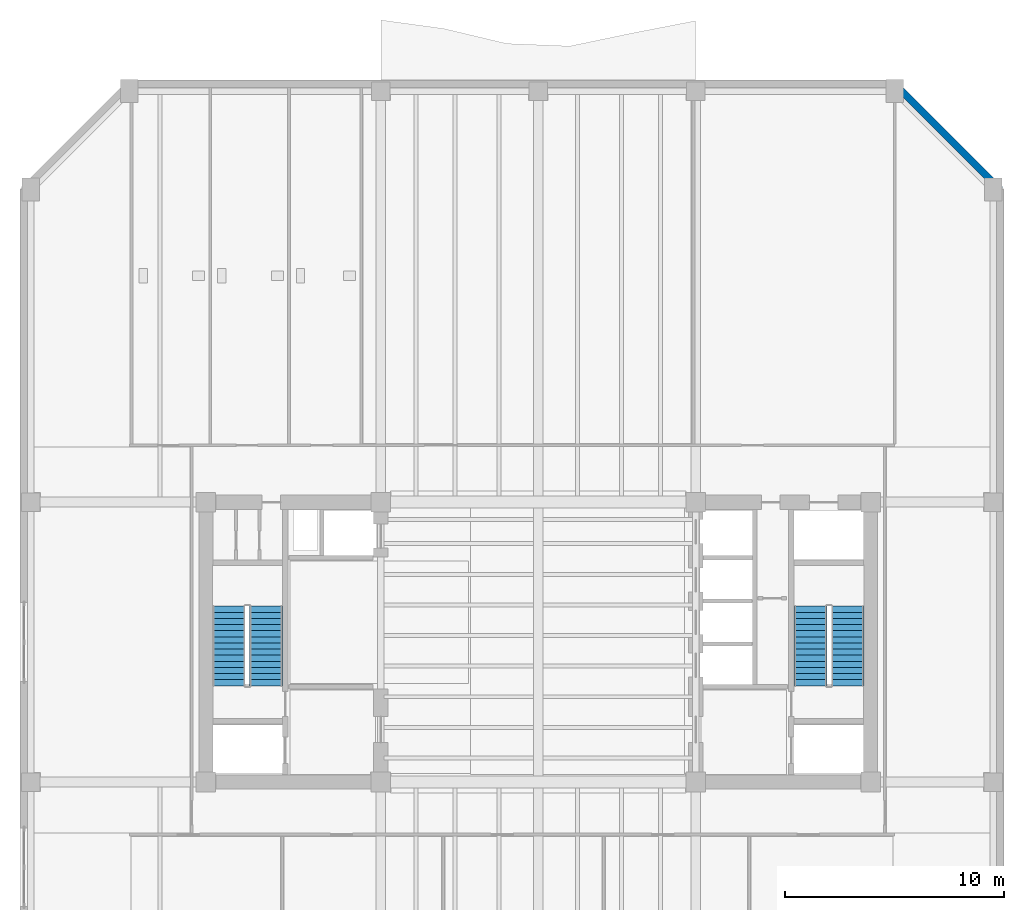
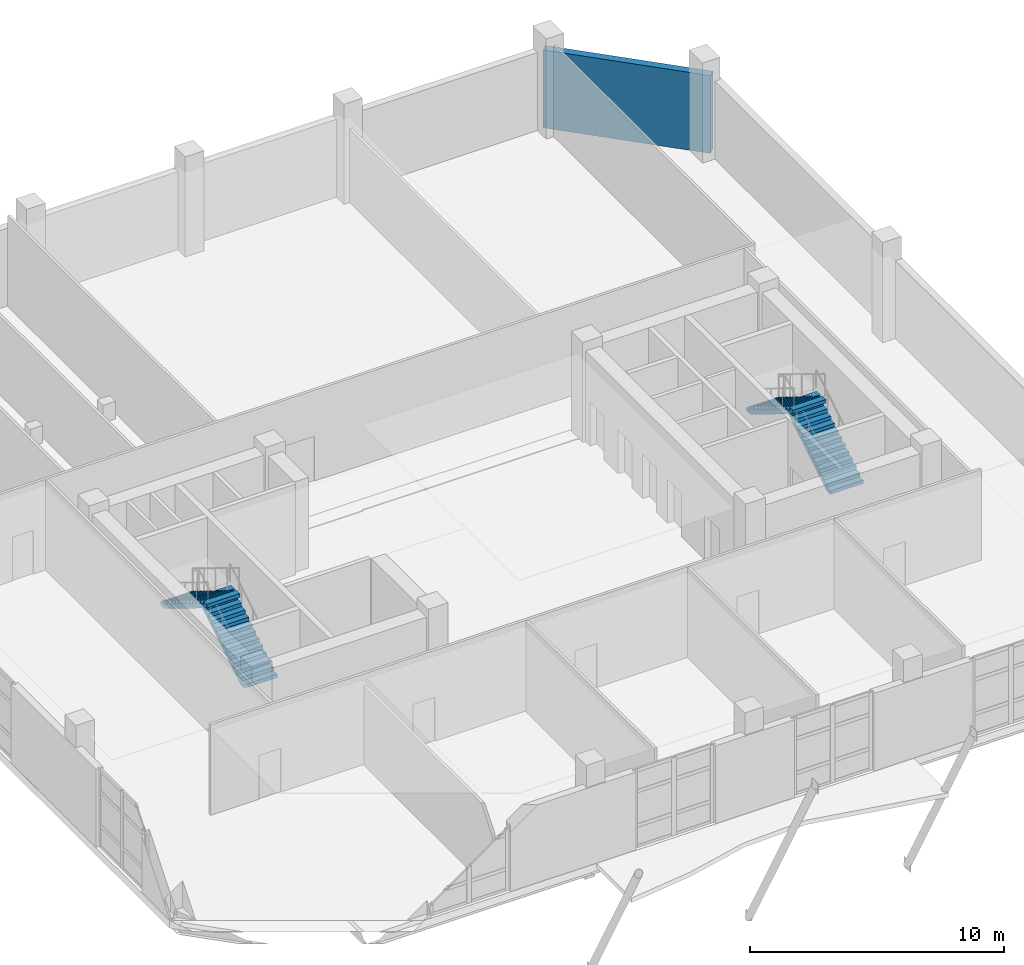
# One storey, part 10 of 15: 4 stair flights, 1 wall, 2 elements without a shape of their own.
"""IFC4 building model written with IfcOpenShell, lengths in metres."""

import ifcopenshell
import ifcopenshell.guid

model = None  # the IFC model being written
_history = None  # IfcOwnerHistory: only IFC2X3 demands one
_inside = {}  # id of a spatial element -> (the spatial element, [elements in it])
_under = {}  # id of a project, library or spatial element -> (it, [spatial elements below it])
_declared = {}  # id of a project -> (the project, [libraries it declares])
_typed = {}  # id of a type object -> (the type object, [elements of that type])
_made_of = {}  # id of a material, layer set ... -> (it, [elements and type objects made of it])


def new_model(schema):
    """Start an empty IFC model of exactly this schema.

    Asked for "IFC4X3", IfcOpenShell would pick the latest addendum, in which some entities
    have other attributes; the version numbers below select the first issue.
    IFC2X3 requires an IfcOwnerHistory on every rooted entity: one is made here for all.
    """
    global model, _history
    if schema == "IFC4X3":
        model = ifcopenshell.file(schema_version=(4, 3, 0, 0))
    else:
        model = ifcopenshell.file(schema=schema)
    _inside.clear()
    _under.clear()
    _declared.clear()
    _typed.clear()
    _made_of.clear()
    _history = None
    if model.schema == "IFC2X3":
        org = make("IfcOrganization", Name="unknown")
        user = make(
            "IfcPersonAndOrganization",
            ThePerson=make("IfcPerson", FamilyName="unknown"),
            TheOrganization=org,
        )
        app = make(
            "IfcApplication",
            ApplicationDeveloper=org,
            Version="unknown",
            ApplicationFullName="unknown",
            ApplicationIdentifier="unknown",
        )
        _history = make(
            "IfcOwnerHistory",
            OwningUser=user,
            OwningApplication=app,
            ChangeAction="ADDED",
            CreationDate=0,
        )
    return model


def make(cls, **values):
    """One entity of the class cls with the attributes given. An attribute that is None is left unset."""
    return model.create_entity(
        cls, **{name: value for name, value in values.items() if value is not None}
    )


def rooted(cls, **values):
    """An entity with a GlobalId (a new one), such as an element, a storey or a relation."""
    return make(cls, GlobalId=ifcopenshell.guid.new(), OwnerHistory=_history, **values)


def si_unit(unit_type, name, prefix=None):
    """IfcSIUnit, for example si_unit("LENGTHUNIT", "METRE", prefix="MILLI")."""
    return make("IfcSIUnit", UnitType=unit_type, Prefix=prefix, Name=name)


def assignment(units):
    """IfcUnitAssignment: the units of a project."""
    return None if units is None else make("IfcUnitAssignment", Units=units)


def point(xyz):
    """IfcCartesianPoint."""
    return None if xyz is None else make("IfcCartesianPoint", Coordinates=xyz)


def direction(xyz):
    """IfcDirection."""
    return None if xyz is None else make("IfcDirection", DirectionRatios=xyz)


def frame(location, z_axis=None, x_axis=None):
    """IfcAxis2Placement3D, a coordinate frame: its origin and axes. An axis left out is left unset."""
    return make(
        "IfcAxis2Placement3D",
        Location=point(location),
        Axis=direction(z_axis),
        RefDirection=direction(x_axis),
    )


def frame_2d(location, x_axis=None):
    """IfcAxis2Placement2D, a coordinate frame in the plane: its origin and x axis."""
    return make(
        "IfcAxis2Placement2D", Location=point(location), RefDirection=direction(x_axis)
    )


def origin():
    """The frame at (0, 0, 0) with its axes left unset."""
    return frame((0.0, 0.0, 0.0))


def place(relative_to, where):
    """IfcLocalPlacement: puts the frame where relative to a parent placement (None: the world)."""
    return make(
        "IfcLocalPlacement", PlacementRelTo=relative_to, RelativePlacement=where
    )


def context(
    kind, dimensions, precision=None, world=None, true_north=None, identifier=None
):
    """IfcGeometricRepresentationContext, for example the 3D "Model" context."""
    return make(
        "IfcGeometricRepresentationContext",
        ContextIdentifier=identifier,
        ContextType=kind,
        CoordinateSpaceDimension=dimensions,
        Precision=precision,
        WorldCoordinateSystem=world,
        TrueNorth=true_north,
    )


def subcontext(parent, identifier, kind, view, scale=None):
    """IfcGeometricRepresentationSubContext, for example "Body" below "Model"."""
    return make(
        "IfcGeometricRepresentationSubContext",
        ContextIdentifier=identifier,
        ContextType=kind,
        ParentContext=parent,
        TargetScale=scale,
        TargetView=view,
    )


def project(units=None, contexts=None):
    """IfcProject with its units and contexts."""
    return rooted(
        "IfcProject",
        Name="project",
        RepresentationContexts=contexts,
        UnitsInContext=assignment(units),
    )


def spatial(cls, under=None, at=None, **own):
    """A site, building, storey or space (cls), placed at a placement, below another one or the project."""
    s = rooted(cls, ObjectPlacement=at, **own)
    if under is not None:
        _under.setdefault(under.id(), (under, []))[1].append(s)
    return s


def polyline(points):
    """IfcPolyline through the points."""
    return make("IfcPolyline", Points=[point(p) for p in points])


def profile(cls, at=None, kind="AREA", **sizes):
    """A parametric profile (cls). Its sizes go by their IFC names, for example OverallWidth=200.0."""
    return make(cls, ProfileType=kind, Position=at, **sizes)


def rectangle(**sizes):
    """IfcRectangleProfileDef."""
    return profile("IfcRectangleProfileDef", **sizes)


def outline(outer, holes=None, kind="AREA"):
    """IfcArbitraryClosedProfileDef: a profile drawn as a closed curve; with holes, ...WithVoids."""
    if holes is None:
        return make("IfcArbitraryClosedProfileDef", ProfileType=kind, OuterCurve=outer)
    return make(
        "IfcArbitraryProfileDefWithVoids",
        ProfileType=kind,
        OuterCurve=outer,
        InnerCurves=holes,
    )


def extrude(swept, where, along, depth):
    """IfcExtrudedAreaSolid: the profile swept, set in the frame where, extruded along a direction by depth."""
    return make(
        "IfcExtrudedAreaSolid",
        SweptArea=swept,
        Position=where,
        ExtrudedDirection=direction(along),
        Depth=depth,
    )


def shape(context_of_items, identifier, shape_type, items):
    """IfcShapeRepresentation: the items that make up one representation, for example the "Body"."""
    return make(
        "IfcShapeRepresentation",
        ContextOfItems=context_of_items,
        RepresentationIdentifier=identifier,
        RepresentationType=shape_type,
        Items=items,
    )


def material(Name=None, Category=None):
    """IfcMaterial."""
    return make("IfcMaterial", Name=Name, Category=Category)


def layer(
    of_material, thickness, ventilated=None, Name=None, Category=None, Priority=None
):
    """IfcMaterialLayer: one layer of a wall or slab, of a material (None: an air gap)."""
    return make(
        "IfcMaterialLayer",
        Material=of_material,
        LayerThickness=thickness,
        IsVentilated=ventilated,
        Name=Name,
        Category=Category,
        Priority=Priority,
    )


def layer_set(layers, Name=None):
    """IfcMaterialLayerSet."""
    return make("IfcMaterialLayerSet", MaterialLayers=layers, LayerSetName=Name)


def made_of(thing, what):
    """Note that an element or type object is made of a material, layer set ...; save() writes the relation."""
    if what is not None:
        _made_of.setdefault(what.id(), (what, []))[1].append(thing)
    return thing


def type_object(cls, material=None, **own):
    """A type object (cls), such as IfcWallType, which elements share."""
    return made_of(rooted(cls, **own), material)


def element(
    cls,
    number,
    at=None,
    inside=None,
    cuts=None,
    type_object=None,
    material=None,
    context=None,
    identifier="Body",
    shape_type=None,
    held_by="IfcProductDefinitionShape",
    body=None,
    shapes=None,
    **own,
):
    """One element of the class cls, such as IfcWall. Its Tag is "e" and its number.

    at: its placement. inside: the storey or other place that contains it. cuts: it is an
    opening in that element (IfcRelVoidsElement). A single representation is given by context,
    identifier, shape_type and body (its items); several are given by shapes. held_by: the class
    of the entity that holds the representations. save() writes the other relations.
    """
    e = rooted(cls, Tag="e%d" % number, ObjectPlacement=at, **own)
    if body is not None:
        shapes = [shape(context, identifier, shape_type, body)]
    if shapes is not None:
        e.Representation = make(held_by, Representations=shapes)
    if inside is not None:
        _inside.setdefault(inside.id(), (inside, []))[1].append(e)
    if cuts is not None:
        rooted(
            "IfcRelVoidsElement", RelatingBuildingElement=cuts, RelatedOpeningElement=e
        )
    if type_object is not None:
        _typed.setdefault(type_object.id(), (type_object, []))[1].append(e)
    return made_of(e, material)


def aggregate(whole, parts):
    """IfcRelAggregates: a whole, such as a stair, and the parts it consists of."""
    return rooted("IfcRelAggregates", RelatingObject=whole, RelatedObjects=parts)


def save(model, path):
    """Write the relations noted so far, then the file.

    IfcRelAggregates (storeys below a building ...), IfcRelContainedInSpatialStructure (elements
    in a storey), IfcRelDefinesByType, IfcRelAssociatesMaterial and IfcRelDeclares: one each for
    every whole, place, type object, material and project.
    """
    for whole, parts in _under.values():
        aggregate(whole, parts)
    for where, things in _inside.values():
        rooted(
            "IfcRelContainedInSpatialStructure",
            RelatedElements=things,
            RelatingStructure=where,
        )
    for kind, things in _typed.values():
        rooted("IfcRelDefinesByType", RelatedObjects=things, RelatingType=kind)
    for what, things in _made_of.values():
        rooted("IfcRelAssociatesMaterial", RelatedObjects=things, RelatingMaterial=what)
    for by, libraries in _declared.values():
        rooted("IfcRelDeclares", RelatingContext=by, RelatedDefinitions=libraries)
    model.write(path)


model = new_model("IFC4")

# Units and contexts
model_context = context("Model", 3, precision=1e-05, world=origin(), true_north=direction((0.0, 1.0)))
body_context = subcontext(model_context, "Body", "Model", "MODEL_VIEW")
ifc_project = project(units=[si_unit("LENGTHUNIT", "METRE"), si_unit("AREAUNIT", "SQUARE_METRE"), si_unit("VOLUMEUNIT", "CUBIC_METRE"), si_unit("PLANEANGLEUNIT", "RADIAN"), si_unit("MASSUNIT", "GRAM", prefix="KILO")], contexts=[model_context])

# Site, building, storey
site_placement = place(None, origin())
site = spatial("IfcSite", under=ifc_project, at=site_placement, CompositionType="ELEMENT")
building_placement = place(site_placement, origin())
building = spatial("IfcBuilding", under=site, at=building_placement, Name="Kranthara Brick Stack", CompositionType="ELEMENT")
storey_placement = place(building_placement, frame((0.0, 0.0, 202.699951171875)))
storey = spatial("IfcBuildingStorey", under=building, at=storey_placement, Name="L52", CompositionType="ELEMENT", Elevation=202.699951171875)

# Wall
ifc_material_1 = material(Name="Warm buff clay brick masonry M15", Category="masonry")
ifc_layer = layer(ifc_material_1, 0.320068359375)
ifc_layer_set = layer_set([ifc_layer], Name="Warm buff clay brick masonry M15")
wall_type = type_object("IfcWallType", Name="WL-BRK-UPPR-320", PredefinedType="STANDARD", material=ifc_layer_set)
wall_placement = place(storey_placement, frame((44.300048828125, 52.719970703125, 0.0), z_axis=(0.0, 0.0, 1.0), x_axis=(0.707106781187, -0.707106781187, 0.0)))
element("IfcWall", 1, at=wall_placement, inside=storey, type_object=wall_type, Name="L52 Exterior Brick Facade Wall NE 1", PredefinedType="STANDARD", context=body_context, shape_type="SweptSolid", body=[
    extrude(rectangle(XDim=6.816650390625, YDim=0.320068359375, at=frame_2d((3.408203125, 0.0))), origin(), (0.0, 0.0, 1.0), 3.735107421875),
])

# Stair, stair flights
ifc_material_2 = material(Name="Concrete C45/55", Category="concrete")
stair_type = type_object("IfcStairType", Name="ST-CORE-28R", PredefinedType="HALF_TURN_STAIR", material=ifc_material_2)
stair_1_placement = place(storey_placement, origin())
stair_1 = element("IfcStair", 2, at=stair_1_placement, inside=storey, type_object=stair_type, Name="L52 West Core Protected Exit Stair ST01", PredefinedType="HALF_TURN_STAIR")
ifc_material_3 = material(Name="Concrete C45/55", Category="concrete")
stair_flight_type = type_object("IfcStairFlightType", Name="SFL-RC-28R", PredefinedType="STRAIGHT", material=ifc_material_3)
stair_flight_1_placement = place(storey_placement, frame((15.550048828125, 25.199951171875, 0.0), z_axis=(0.0, 0.0, 1.0), x_axis=(0.0, 1.0, 0.0)))
stair_flight_1 = element("IfcStairFlight", 3, at=stair_flight_1_placement, type_object=stair_flight_type, Name="ST01 flight 1", NumberOfRisers=14, NumberOfTreads=13, PredefinedType="STRAIGHT", RiserHeight=0.171428571, TreadLength=0.28, context=body_context, shape_type="SweptSolid", body=[
    extrude(outline(polyline([(0.0, 0.0), (0.0, 0.17138671875), (0.280029296875, 0.17138671875), (0.280029296875, 0.3427734375), (0.56005859375, 0.3427734375), (0.56005859375, 0.514404296875), (0.840087890625, 0.514404296875), (0.840087890625, 0.685791015625), (1.1201171875, 0.685791015625), (1.1201171875, 0.857177734375), (1.39990234375, 0.857177734375), (1.39990234375, 1.028564453125), (1.679931640625, 1.028564453125), (1.679931640625, 1.199951171875), (1.9599609375, 1.199951171875), (1.9599609375, 1.371337890625), (2.239990234375, 1.371337890625), (2.239990234375, 1.54296875), (2.52001953125, 1.54296875), (2.52001953125, 1.71435546875), (2.800048828125, 1.71435546875), (2.800048828125, 1.8857421875), (3.080078125, 1.8857421875), (3.080078125, 2.05712890625), (3.360107421875, 2.05712890625), (3.360107421875, 2.228515625), (3.639892578125, 2.228515625), (3.639892578125, 2.39990234375), (3.639892578125, 2.052734375), (0.287109375, 0.0), (0.0, 0.0)])), frame((0.0, 0.75, 0.0), z_axis=(0.0, -1.0, 0.0), x_axis=(1.0, 0.0, 0.0)), (0.0, 0.0, 1.0), 1.5),
])
stair_flight_2_placement = place(storey_placement, frame((13.85009765625, 28.840087890625, 2.400146484375), z_axis=(0.0, 0.0, 1.0), x_axis=(0.0, -1.0, 0.0)))
stair_flight_2 = element("IfcStairFlight", 4, at=stair_flight_2_placement, type_object=stair_flight_type, Name="ST01 flight 2", NumberOfRisers=14, NumberOfTreads=13, PredefinedType="STRAIGHT", RiserHeight=0.171428571, TreadLength=0.28, context=body_context, shape_type="SweptSolid", body=[
    extrude(outline(polyline([(0.0, 0.0), (0.0, 0.17138671875), (0.280029296875, 0.17138671875), (0.280029296875, 0.3427734375), (0.56005859375, 0.3427734375), (0.56005859375, 0.514404296875), (0.840087890625, 0.514404296875), (0.840087890625, 0.685791015625), (1.1201171875, 0.685791015625), (1.1201171875, 0.857177734375), (1.39990234375, 0.857177734375), (1.39990234375, 1.028564453125), (1.679931640625, 1.028564453125), (1.679931640625, 1.199951171875), (1.9599609375, 1.199951171875), (1.9599609375, 1.371337890625), (2.239990234375, 1.371337890625), (2.239990234375, 1.54296875), (2.52001953125, 1.54296875), (2.52001953125, 1.71435546875), (2.800048828125, 1.71435546875), (2.800048828125, 1.8857421875), (3.080078125, 1.8857421875), (3.080078125, 2.05712890625), (3.360107421875, 2.05712890625), (3.360107421875, 2.228515625), (3.639892578125, 2.228515625), (3.639892578125, 2.39990234375), (3.639892578125, 2.052734375), (0.287109375, 0.0), (0.0, 0.0)])), frame((0.0, 0.75, 0.0), z_axis=(0.0, -1.0, 0.0), x_axis=(1.0, 0.0, 0.0)), (0.0, 0.0, 1.0), 1.5),
])
aggregate(stair_1, [stair_flight_1, stair_flight_2])

stair_2_placement = place(storey_placement, origin())
stair_2 = element("IfcStair", 5, at=stair_2_placement, inside=storey, type_object=stair_type, Name="L52 East Core Protected Exit Stair ST02", PredefinedType="HALF_TURN_STAIR")
stair_flight_3_placement = place(storey_placement, frame((42.14990234375, 25.199951171875, 0.0), z_axis=(0.0, 0.0, 1.0), x_axis=(0.0, 1.0, 0.0)))
stair_flight_3 = element("IfcStairFlight", 6, at=stair_flight_3_placement, type_object=stair_flight_type, Name="ST02 flight 1", NumberOfRisers=14, NumberOfTreads=13, PredefinedType="STRAIGHT", RiserHeight=0.171428571, TreadLength=0.28, context=body_context, shape_type="SweptSolid", body=[
    extrude(outline(polyline([(0.0, 0.0), (0.0, 0.17138671875), (0.280029296875, 0.17138671875), (0.280029296875, 0.3427734375), (0.56005859375, 0.3427734375), (0.56005859375, 0.514404296875), (0.840087890625, 0.514404296875), (0.840087890625, 0.685791015625), (1.1201171875, 0.685791015625), (1.1201171875, 0.857177734375), (1.39990234375, 0.857177734375), (1.39990234375, 1.028564453125), (1.679931640625, 1.028564453125), (1.679931640625, 1.199951171875), (1.9599609375, 1.199951171875), (1.9599609375, 1.371337890625), (2.239990234375, 1.371337890625), (2.239990234375, 1.54296875), (2.52001953125, 1.54296875), (2.52001953125, 1.71435546875), (2.800048828125, 1.71435546875), (2.800048828125, 1.8857421875), (3.080078125, 1.8857421875), (3.080078125, 2.05712890625), (3.360107421875, 2.05712890625), (3.360107421875, 2.228515625), (3.639892578125, 2.228515625), (3.639892578125, 2.39990234375), (3.639892578125, 2.052734375), (0.287109375, 0.0), (0.0, 0.0)])), frame((0.0, 0.75, 0.0), z_axis=(0.0, -1.0, 0.0), x_axis=(1.0, 0.0, 0.0)), (0.0, 0.0, 1.0), 1.5),
])
stair_flight_4_placement = place(storey_placement, frame((40.449951171875, 28.840087890625, 2.400146484375), z_axis=(0.0, 0.0, 1.0), x_axis=(0.0, -1.0, 0.0)))
stair_flight_4 = element("IfcStairFlight", 7, at=stair_flight_4_placement, type_object=stair_flight_type, Name="ST02 flight 2", NumberOfRisers=14, NumberOfTreads=13, PredefinedType="STRAIGHT", RiserHeight=0.171428571, TreadLength=0.28, context=body_context, shape_type="SweptSolid", body=[
    extrude(outline(polyline([(0.0, 0.0), (0.0, 0.17138671875), (0.280029296875, 0.17138671875), (0.280029296875, 0.3427734375), (0.56005859375, 0.3427734375), (0.56005859375, 0.514404296875), (0.840087890625, 0.514404296875), (0.840087890625, 0.685791015625), (1.1201171875, 0.685791015625), (1.1201171875, 0.857177734375), (1.39990234375, 0.857177734375), (1.39990234375, 1.028564453125), (1.679931640625, 1.028564453125), (1.679931640625, 1.199951171875), (1.9599609375, 1.199951171875), (1.9599609375, 1.371337890625), (2.239990234375, 1.371337890625), (2.239990234375, 1.54296875), (2.52001953125, 1.54296875), (2.52001953125, 1.71435546875), (2.800048828125, 1.71435546875), (2.800048828125, 1.8857421875), (3.080078125, 1.8857421875), (3.080078125, 2.05712890625), (3.360107421875, 2.05712890625), (3.360107421875, 2.228515625), (3.639892578125, 2.228515625), (3.639892578125, 2.39990234375), (3.639892578125, 2.052734375), (0.287109375, 0.0), (0.0, 0.0)])), frame((0.0, 0.75, 0.0), z_axis=(0.0, -1.0, 0.0), x_axis=(1.0, 0.0, 0.0)), (0.0, 0.0, 1.0), 1.5),
])
aggregate(stair_2, [stair_flight_3, stair_flight_4])

save(model, "model.ifc")
